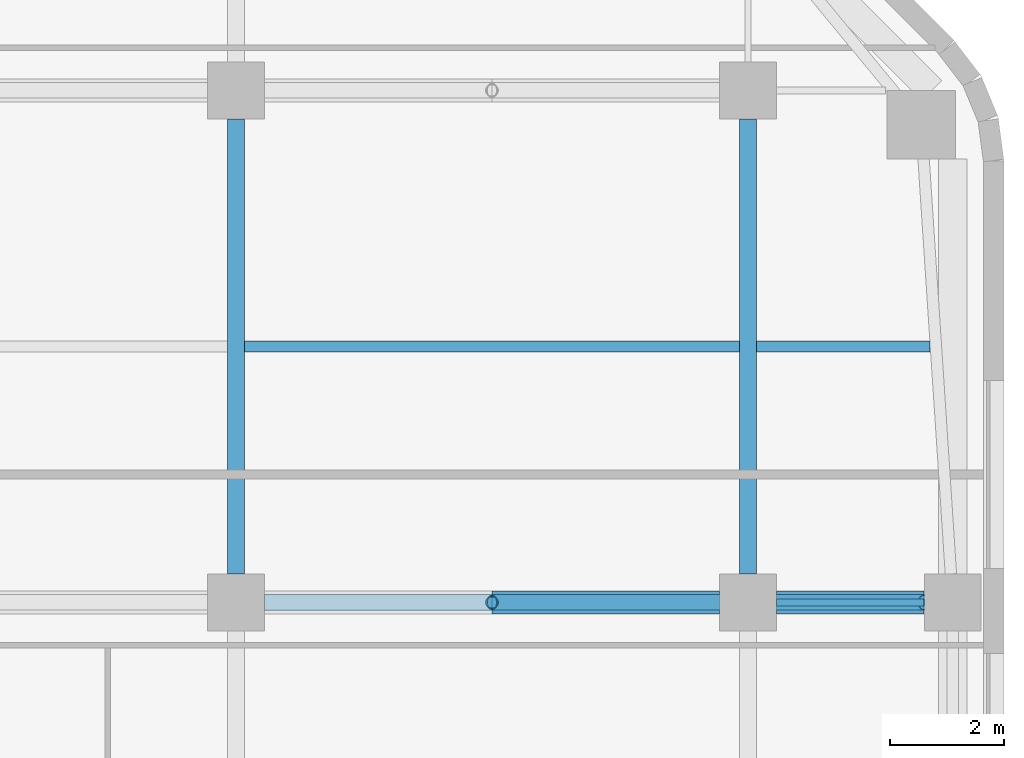
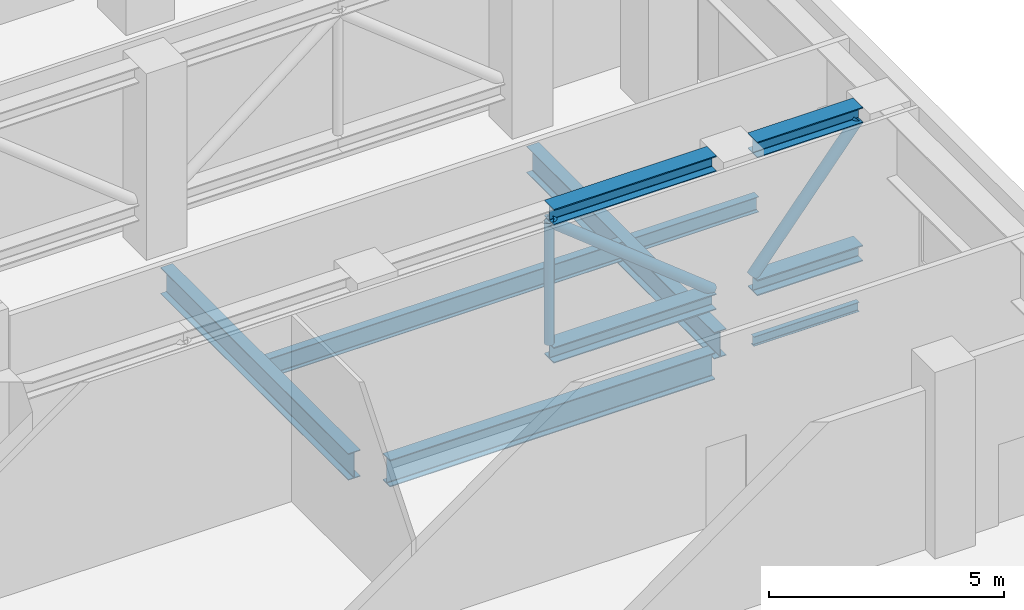
# One storey, part 7 of 23: 7 members, 6 beams.
"""IFC4 building model written with IfcOpenShell, lengths in metres."""

from ifc_helpers import new_model, si_unit, direction, frame, origin, origin_2d, place, context, subcontext, project, spatial, hollow_circle, i_section, extrude, material, material_profile, profile_set, type_object, element, save


model = new_model("IFC4")

# Units and contexts
model_context = context("Model", 3, precision=1e-05, world=origin(), true_north=direction((0.0, 1.0)))
body_context = subcontext(model_context, "Body", "Model", "MODEL_VIEW")
ifc_project = project(units=[si_unit("LENGTHUNIT", "METRE"), si_unit("AREAUNIT", "SQUARE_METRE"), si_unit("VOLUMEUNIT", "CUBIC_METRE"), si_unit("PLANEANGLEUNIT", "RADIAN"), si_unit("MASSUNIT", "GRAM", prefix="KILO")], contexts=[model_context])

# Site, building, storey
site_placement = place(None, origin())
site = spatial("IfcSite", under=ifc_project, at=site_placement, CompositionType="ELEMENT")
building_placement = place(site_placement, origin())
building = spatial("IfcBuilding", under=site, at=building_placement, Name="Cinnabar Reach Civic Tower", CompositionType="ELEMENT")
storey_placement = place(building_placement, frame((0.0, 0.0, 46.0)))
storey = spatial("IfcBuildingStorey", under=building, at=storey_placement, Name="L10", CompositionType="ELEMENT", Elevation=46.0)

# Members
ifc_material = material(Name="Steel Q355B", Category="steel")
ifc_material_profile_1 = material_profile(ifc_material, hollow_circle(Radius=0.1095, WallThickness=0.008, at=origin_2d()), Name="CHS219x8")
ifc_profile_set_1 = profile_set([ifc_material_profile_1], Name="Steel Q355B")
member_type_1 = type_object("IfcMemberType", Name="CHS219x8 post R 240", PredefinedType="POST", material=ifc_profile_set_1)
member_1_placement = place(storey_placement, frame((49.5, 27.0, 1.264), z_axis=(0.0, 0.0, 1.0), x_axis=(1.0, 0.0, 0.0)))
element("IfcMember", 1, at=member_1_placement, inside=storey, type_object=member_type_1, Name="Outrigger truss post T1-L10-TR-E27", PredefinedType="POST", context=body_context, shape_type="SweptSolid", body=[
    extrude(hollow_circle(Radius=0.1095, WallThickness=0.008, at=origin_2d()), origin(), (0.0, 0.0, 1.0), 3.172),
])
ifc_material_profile_2 = material_profile(ifc_material, hollow_circle(Radius=0.1365, WallThickness=0.01, at=origin_2d()), Name="CHS273x10")
ifc_profile_set_2 = profile_set([ifc_material_profile_2], Name="Steel Q355B")
member_type_2 = type_object("IfcMemberType", Name="CHS273x10 brace R 240", PredefinedType="BRACE", material=ifc_profile_set_2)
member_2_placement = place(storey_placement, frame((49.5, 27.0, 4.436), z_axis=(0.783385820747, 0.0, -0.621535723714), x_axis=(0.0, 1.0, 0.0)))
element("IfcMember", 2, at=member_2_placement, inside=storey, type_object=member_type_2, Name="Outrigger truss diagonal T1-L10-TR-E27", PredefinedType="BRACE", context=body_context, shape_type="SweptSolid", body=[
    extrude(hollow_circle(Radius=0.1365, WallThickness=0.01, at=origin_2d()), origin(), (0.0, 0.0, 1.0), 5.1035),
])
member_3_placement = place(storey_placement, frame((54.502, 27.0, 1.264), z_axis=(0.633344067902, 0.0, 0.773870332583), x_axis=(0.0, 1.0, 0.0)))
element("IfcMember", 3, at=member_3_placement, inside=storey, type_object=member_type_2, Name="Outrigger truss diagonal T1-L10-TR-E27", PredefinedType="BRACE", context=body_context, shape_type="SweptSolid", body=[
    extrude(hollow_circle(Radius=0.1365, WallThickness=0.01, at=origin_2d()), origin(), (0.0, 0.0, 1.0), 4.0989),
])

# Beams
ifc_material_profile_3 = material_profile(ifc_material, i_section(OverallWidth=0.124, OverallDepth=0.248, WebThickness=0.005, FlangeThickness=0.008, FilletRadius=0.013, at=origin_2d()), Name="HN250x125x6x9")
ifc_profile_set_3 = profile_set([ifc_material_profile_3], Name="Steel Q355B")
beam_type_1 = type_object("IfcBeamType", Name="HN250x125x6x9 beam R 180", PredefinedType="BEAM", material=ifc_profile_set_3)
beam_1_placement = place(storey_placement, frame((54.502, 27.0, -0.424), z_axis=(1.0, 0.0, 0.0), x_axis=(0.0, 1.0, 0.0)))
element("IfcBeam", 4, at=beam_1_placement, inside=storey, type_object=beam_type_1, Name="Girder T1 L10 19", PredefinedType="BEAM", context=body_context, shape_type="SweptSolid", body=[
    extrude(i_section(OverallWidth=0.124, OverallDepth=0.248, WebThickness=0.005, FlangeThickness=0.008, FilletRadius=0.013, at=origin_2d()), origin(), (0.0, 0.0, 1.0), 2.596),
])
ifc_material_profile_4 = material_profile(ifc_material, i_section(OverallWidth=0.2, OverallDepth=0.4, WebThickness=0.008, FlangeThickness=0.013, FilletRadius=0.016, at=origin_2d()), Name="HN400x200x8x13")
ifc_profile_set_4 = profile_set([ifc_material_profile_4], Name="Steel Q355B")
beam_type_2 = type_object("IfcBeamType", Name="HN400x200x8x13 beam R 180", PredefinedType="BEAM", material=ifc_profile_set_4)
beam_2_placement = place(storey_placement, frame((54.152, 31.5, -0.5), z_axis=(1.0, 0.0, 0.0), x_axis=(0.0, 1.0, 0.0)))
element("IfcBeam", 5, at=beam_2_placement, inside=storey, type_object=beam_type_2, Name="Secondary beam T1 L10 24", PredefinedType="BEAM", context=body_context, shape_type="SweptSolid", body=[
    extrude(i_section(OverallWidth=0.2, OverallDepth=0.4, WebThickness=0.008, FlangeThickness=0.013, FilletRadius=0.016, at=origin_2d()), origin(), (0.0, 0.0, 1.0), 3.0494),
])
ifc_material_profile_5 = material_profile(ifc_material, i_section(OverallWidth=0.2, OverallDepth=0.5, WebThickness=0.01, FlangeThickness=0.016, FilletRadius=0.016, at=origin_2d()), Name="HN500x200x10x16")
ifc_profile_set_5 = profile_set([ifc_material_profile_5], Name="Steel Q355B")
beam_type_3 = type_object("IfcBeamType", Name="HN500x200x10x16 beam R 180", PredefinedType="BEAM", material=ifc_profile_set_5)
beam_3_placement = place(storey_placement, frame((45.152, 31.5, -0.55), z_axis=(1.0, 0.0, 0.0), x_axis=(0.0, 1.0, 0.0)))
element("IfcBeam", 6, at=beam_3_placement, inside=storey, type_object=beam_type_3, Name="Secondary beam T1 L10 23", PredefinedType="BEAM", context=body_context, shape_type="SweptSolid", body=[
    extrude(i_section(OverallWidth=0.2, OverallDepth=0.5, WebThickness=0.01, FlangeThickness=0.016, FilletRadius=0.016, at=origin_2d()), origin(), (0.0, 0.0, 1.0), 8.696),
])
ifc_material_profile_6 = material_profile(ifc_material, i_section(OverallWidth=0.3, OverallDepth=0.692, WebThickness=0.013, FlangeThickness=0.02, FilletRadius=0.016, at=origin_2d()), Name="HN692x300x13x20")
ifc_profile_set_6 = profile_set([ifc_material_profile_6], Name="Steel Q355B")
beam_type_4 = type_object("IfcBeamType", Name="HN692x300x13x20 beam R 180", PredefinedType="BEAM", material=ifc_profile_set_6)
for number, where, z_axis, x_axis, name in (
    (7, (45.0, 27.502, -0.646), (0.0, 1.0, 0.0), (-1.0, 0.0, 0.0), "Girder T1 L10 21"),
    (8, (54.0, 27.502, -0.646), (0.0, 1.0, 0.0), (-1.0, 0.0, 0.0), "Girder T1 L10 26"),
):
    element("IfcBeam", number, at=place(storey_placement, frame(where, z_axis=z_axis, x_axis=x_axis)), inside=storey, type_object=beam_type_4, Name=name, PredefinedType="BEAM", context=body_context, shape_type="SweptSolid", body=[
        extrude(i_section(OverallWidth=0.3, OverallDepth=0.692, WebThickness=0.013, FlangeThickness=0.02, FilletRadius=0.016, at=origin_2d()), origin(), (0.0, 0.0, 1.0), 7.996),
    ])
ifc_material_profile_7 = material_profile(ifc_material, i_section(OverallWidth=0.3, OverallDepth=0.7, WebThickness=0.013, FlangeThickness=0.024, FilletRadius=0.02, at=origin_2d()), Name="HN700x300x13x24")
ifc_profile_set_7 = profile_set([ifc_material_profile_7], Name="Steel Q355B")
beam_type_5 = type_object("IfcBeamType", Name="HN700x300x13x24 beam R 180", PredefinedType="BEAM", material=ifc_profile_set_7)
beam_4_placement = place(storey_placement, frame((45.502, 27.0, -0.65), z_axis=(1.0, 0.0, 0.0), x_axis=(0.0, 1.0, 0.0)))
element("IfcBeam", 9, at=beam_4_placement, inside=storey, type_object=beam_type_5, Name="Girder T1 L10 18", PredefinedType="BEAM", context=body_context, shape_type="SweptSolid", body=[
    extrude(i_section(OverallWidth=0.3, OverallDepth=0.7, WebThickness=0.013, FlangeThickness=0.024, FilletRadius=0.02, at=origin_2d()), origin(), (0.0, 0.0, 1.0), 7.996),
])

# Members
ifc_material_profile_8 = material_profile(ifc_material, i_section(OverallWidth=0.405, OverallDepth=0.414, WebThickness=0.018, FlangeThickness=0.028, FilletRadius=0.016, at=origin_2d()), Name="HW414x405x18x28")
ifc_profile_set_8 = profile_set([ifc_material_profile_8], Name="Steel Q355B")
member_type_3 = type_object("IfcMemberType", Name="HW414x405x18x28 chord R 240", PredefinedType="CHORD", material=ifc_profile_set_8)
for number, where, z_axis, x_axis, name in (
    (10, (49.5, 27.0, 4.643), (1.0, 0.0, 0.0), (0.0, 1.0, 0.0), "Outrigger truss chord T1-L10-TR-E27"),
    (11, (49.5, 27.0, 1.057), (1.0, 0.0, 0.0), (0.0, 1.0, 0.0), "Outrigger truss chord T1-L10-TR-E27"),
):
    element("IfcMember", number, at=place(storey_placement, frame(where, z_axis=z_axis, x_axis=x_axis)), inside=storey, type_object=member_type_3, Name=name, PredefinedType="CHORD", context=body_context, shape_type="SweptSolid", body=[
        extrude(i_section(OverallWidth=0.405, OverallDepth=0.414, WebThickness=0.018, FlangeThickness=0.028, FilletRadius=0.016, at=origin_2d()), origin(), (0.0, 0.0, 1.0), 3.998),
    ])
for number, where, z_axis, x_axis, name in (
    (12, (54.502, 27.0, 4.643), (1.0, 0.0, 0.0), (0.0, 1.0, 0.0), "Outrigger truss chord T1-L10-TR-E27"),
    (13, (54.502, 27.0, 1.057), (1.0, 0.0, 0.0), (0.0, 1.0, 0.0), "Outrigger truss chord T1-L10-TR-E27"),
):
    element("IfcMember", number, at=place(storey_placement, frame(where, z_axis=z_axis, x_axis=x_axis)), inside=storey, type_object=member_type_3, Name=name, PredefinedType="CHORD", context=body_context, shape_type="SweptSolid", body=[
        extrude(i_section(OverallWidth=0.405, OverallDepth=0.414, WebThickness=0.018, FlangeThickness=0.028, FilletRadius=0.016, at=origin_2d()), origin(), (0.0, 0.0, 1.0), 2.596),
    ])

save(model, "model.ifc")
